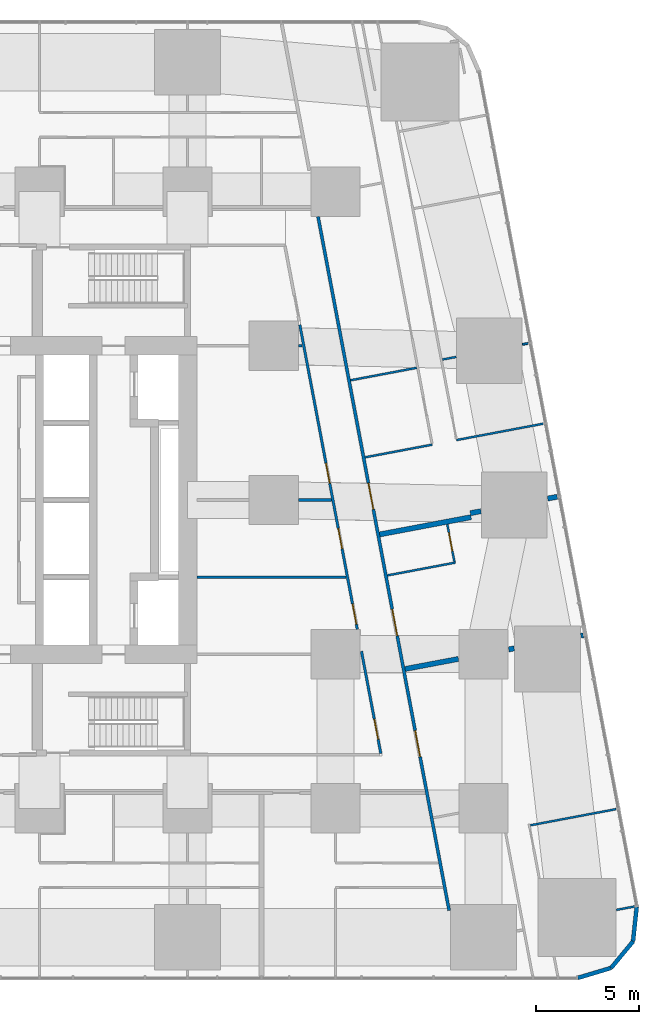
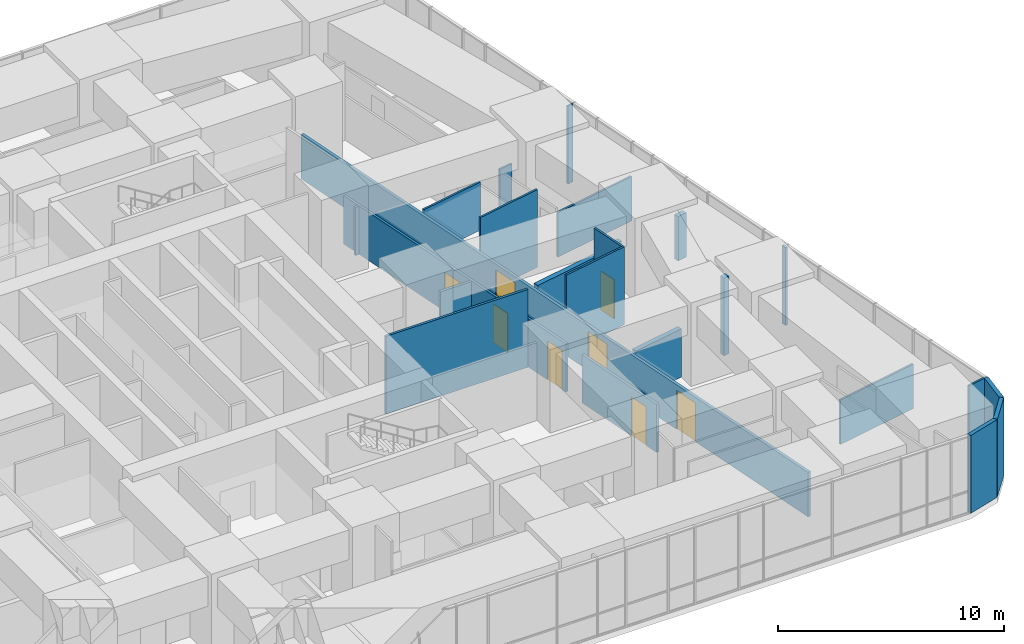
# One storey, part 17 of 22: 24 walls, 8 doors, 8 openings.
"""IFC4 building model written with IfcOpenShell, lengths in metres."""

from ifc_helpers import new_model, si_unit, direction, frame, frame_2d, origin, place, context, subcontext, project, spatial, rectangle, extrude, material, layer, layer_set, type_object, element, fill, save


model = new_model("IFC4")

# Units and contexts
model_context = context("Model", 3, precision=1e-05, world=origin(), true_north=direction((0.0, 1.0)))
body_context = subcontext(model_context, "Body", "Model", "MODEL_VIEW")
ifc_project = project(units=[si_unit("LENGTHUNIT", "METRE"), si_unit("AREAUNIT", "SQUARE_METRE"), si_unit("VOLUMEUNIT", "CUBIC_METRE"), si_unit("PLANEANGLEUNIT", "RADIAN"), si_unit("MASSUNIT", "GRAM", prefix="KILO")], contexts=[model_context])

# Site, building, storey
site_placement = place(None, origin())
site = spatial("IfcSite", under=ifc_project, at=site_placement, CompositionType="ELEMENT")
building_placement = place(site_placement, origin())
building = spatial("IfcBuilding", under=site, at=building_placement, Name="Sheger Commons Tower", CompositionType="ELEMENT")
storey_placement = place(building_placement, frame((0.0, 0.0, 10.10009765625)))
storey = spatial("IfcBuildingStorey", under=building, at=storey_placement, Name="L02", CompositionType="ELEMENT", Elevation=10.10009765625)

# Wall, openings, doors
ifc_material_1 = material(Name="Hollow concrete block masonry, skimmed both sides", Category="masonry")
ifc_layer_1 = layer(ifc_material_1, 0.14990234375)
ifc_layer_set_1 = layer_set([ifc_layer_1], Name="CORRIDOR WALL 150")
wall_type_1 = type_object("IfcWallType", Name="CORRIDOR WALL 150", PredefinedType="SOLIDWALL", material=ifc_layer_set_1)
wall_1_placement = place(storey_placement, frame((35.15087890625, 36.284912109375, 0.0), z_axis=(0.0, 0.0, 1.0), x_axis=(0.18558085056, -0.982628998099, 0.0)))
wall_1 = element("IfcWall", 1, at=wall_1_placement, inside=storey, type_object=wall_type_1, Name="Corridor wall L02", PredefinedType="SOLIDWALL", context=body_context, shape_type="SweptSolid", body=[
    extrude(rectangle(XDim=34.3515625, YDim=0.14990234375, at=frame_2d((17.17578125, 0.0))), origin(), (0.0, 0.0, 1.0), 2.39990234375),
])
opening_1_placement = place(wall_1_placement, frame((13.18896484375, 0.0, 0.0)))
opening_1 = element("IfcOpeningElement", 2, at=opening_1_placement, cuts=wall_1, Name="Opening D9", PredefinedType="OPENING", context=body_context, shape_type="SweptSolid", body=[
    extrude(rectangle(XDim=1.300048828125, YDim=2.10009765625, at=frame_2d((0.64990234375, 1.050048828125))), frame((0.0, 0.0849609375, 0.0), z_axis=(0.0, -1.0, 0.0), x_axis=(1.0, 0.0, 0.0)), (0.0, 0.0, 1.0), 0.169921875),
])
opening_2_placement = place(wall_1_placement, frame((19.443115234375, 0.0, 0.0)))
opening_2 = element("IfcOpeningElement", 3, at=opening_2_placement, cuts=wall_1, Name="Opening D9", PredefinedType="OPENING", context=body_context, shape_type="SweptSolid", body=[
    extrude(rectangle(XDim=1.300048828125, YDim=2.10009765625, at=frame_2d((0.64990234375, 1.050048828125))), frame((0.0, 0.0849609375, 0.0), z_axis=(0.0, -1.0, 0.0), x_axis=(1.0, 0.0, 0.0)), (0.0, 0.0, 1.0), 0.169921875),
])
opening_3_placement = place(wall_1_placement, frame((25.444091796875, 0.0, 0.0)))
opening_3 = element("IfcOpeningElement", 4, at=opening_3_placement, cuts=wall_1, Name="Opening D9", PredefinedType="OPENING", context=body_context, shape_type="SweptSolid", body=[
    extrude(rectangle(XDim=1.300048828125, YDim=2.10009765625, at=frame_2d((0.64990234375, 1.050048828125))), frame((0.0, 0.0849609375, 0.0), z_axis=(0.0, -1.0, 0.0), x_axis=(1.0, 0.0, 0.0)), (0.0, 0.0, 1.0), 0.169921875),
])
ifc_material_2 = material(Name="Steel door set, fire rated", Category="steel")
door_type_1 = type_object("IfcDoorType", Name="CLINIC SUITE DOOR 1300x2100", OperationType="DOUBLE_DOOR_SINGLE_SWING", PredefinedType="DOOR", material=ifc_material_2)
door_1_placement = place(opening_1_placement, origin())
door_1 = element("IfcDoor", 5, at=door_1_placement, inside=storey, type_object=door_type_1, Name="Suite door", OperationType="DOUBLE_DOOR_SINGLE_SWING", OverallHeight=2.10009765625, OverallWidth=1.300048828125, PredefinedType="DOOR", context=body_context, shape_type="SweptSolid", body=[
    extrude(rectangle(XDim=1.300048828125, YDim=2.10009765625, at=frame_2d((0.64990234375, 1.050048828125))), frame((0.0, 0.02490234375, 0.0), z_axis=(0.0, -1.0, 0.0), x_axis=(1.0, 0.0, 0.0)), (0.0, 0.0, 1.0), 0.050048828125),
])
fill(opening_1, door_1)
door_2_placement = place(opening_2_placement, origin())
door_2 = element("IfcDoor", 6, at=door_2_placement, inside=storey, type_object=door_type_1, Name="Suite door", OperationType="DOUBLE_DOOR_SINGLE_SWING", OverallHeight=2.10009765625, OverallWidth=1.300048828125, PredefinedType="DOOR", context=body_context, shape_type="SweptSolid", body=[
    extrude(rectangle(XDim=1.300048828125, YDim=2.10009765625, at=frame_2d((0.64990234375, 1.050048828125))), frame((0.0, 0.02490234375, 0.0), z_axis=(0.0, -1.0, 0.0), x_axis=(1.0, 0.0, 0.0)), (0.0, 0.0, 1.0), 0.050048828125),
])
fill(opening_2, door_2)
door_3_placement = place(opening_3_placement, origin())
door_3 = element("IfcDoor", 7, at=door_3_placement, inside=storey, type_object=door_type_1, Name="Suite door", OperationType="DOUBLE_DOOR_SINGLE_SWING", OverallHeight=2.10009765625, OverallWidth=1.300048828125, PredefinedType="DOOR", context=body_context, shape_type="SweptSolid", body=[
    extrude(rectangle(XDim=1.300048828125, YDim=2.10009765625, at=frame_2d((0.64990234375, 1.050048828125))), frame((0.0, 0.02490234375, 0.0), z_axis=(0.0, -1.0, 0.0), x_axis=(1.0, 0.0, 0.0)), (0.0, 0.0, 1.0), 0.050048828125),
])
fill(opening_3, door_3)

# Walls
ifc_material_3 = material(Name="Dense concrete block masonry, plastered both sides (separating wall between flats)", Category="masonry")
ifc_layer_2 = layer(ifc_material_3, 0.25)
ifc_layer_set_2 = layer_set([ifc_layer_2], Name="DEMISING WALL 250")
wall_type_2 = type_object("IfcWallType", Name="DEMISING WALL 250", PredefinedType="SOLIDWALL", material=ifc_layer_set_2)
wall_2_placement = place(storey_placement, frame((46.781982421875, 22.656982421875, 0.0), z_axis=(0.0, 0.0, 1.0), x_axis=(-0.982683117999, -0.185294062504, 0.0)))
element("IfcWall", 8, at=wall_2_placement, inside=storey, type_object=wall_type_2, Name="Demising wall L02", PredefinedType="SOLIDWALL", context=body_context, shape_type="SweptSolid", body=[
    extrude(rectangle(XDim=0.468994140625, YDim=0.25, at=frame_2d((0.234375, 0.0))), origin(), (0.0, 0.0, 1.0), 2.39990234375),
])
wall_3_placement = place(storey_placement, frame((43.072998046875, 21.9560546875, 0.0), z_axis=(0.0, 0.0, 1.0), x_axis=(-0.982395465615, -0.18681313963, 0.0)))
element("IfcWall", 9, at=wall_3_placement, inside=storey, type_object=wall_type_2, Name="Demising wall L02", PredefinedType="SOLIDWALL", context=body_context, shape_type="SweptSolid", body=[
    extrude(rectangle(XDim=0.525390625, YDim=0.25, at=frame_2d((0.2626953125, 0.0))), origin(), (0.0, 0.0, 1.0), 2.599853515625),
])
wall_4_placement = place(storey_placement, frame((42.593017578125, 21.6650390625, 0.0), z_axis=(0.0, 0.0, 1.0), x_axis=(-0.982612837616, -0.185666398014, 0.0)))
element("IfcWall", 10, at=wall_4_placement, inside=storey, type_object=wall_type_2, Name="Demising wall L02", PredefinedType="SOLIDWALL", context=body_context, shape_type="SweptSolid", body=[
    extrude(rectangle(XDim=4.524658203125, YDim=0.25, at=frame_2d((2.26220703125, 0.0))), origin(), (0.0, 0.0, 1.0), 2.599853515625),
])
wall_5_placement = place(storey_placement, frame((48.054931640625, 15.9169921875, 0.0), z_axis=(0.0, 0.0, 1.0), x_axis=(-0.98280243359, -0.184660164975, 0.0)))
element("IfcWall", 11, at=wall_5_placement, inside=storey, type_object=wall_type_2, Name="Demising wall L02", PredefinedType="SOLIDWALL", context=body_context, shape_type="SweptSolid", body=[
    extrude(rectangle(XDim=0.118896484375, YDim=0.25, at=frame_2d((0.0595703125, 0.0))), origin(), (0.0, 0.0, 1.0), 4.199951171875),
])
wall_6_placement = place(storey_placement, frame((44.68994140625, 15.281005859375, 0.0), z_axis=(0.0, 0.0, 1.0), x_axis=(-0.982739122219, -0.184996804458, 0.0)))
element("IfcWall", 12, at=wall_6_placement, inside=storey, type_object=wall_type_2, Name="Demising wall L02", PredefinedType="SOLIDWALL", context=body_context, shape_type="SweptSolid", body=[
    extrude(rectangle(XDim=0.2705078125, YDim=0.25, at=frame_2d((0.13525390625, 0.0))), origin(), (0.0, 0.0, 1.0), 4.199951171875),
])
wall_7_placement = place(storey_placement, frame((41.97607421875, 14.76904296875, 0.0), z_axis=(0.0, 0.0, 1.0), x_axis=(-0.982610412957, -0.185679229715, 0.0)))
element("IfcWall", 13, at=wall_7_placement, inside=storey, type_object=wall_type_2, Name="Demising wall L02", PredefinedType="SOLIDWALL", context=body_context, shape_type="SweptSolid", body=[
    extrude(rectangle(XDim=2.638916015625, YDim=0.25, at=frame_2d((1.3193359375, 0.0))), origin(), (0.0, 0.0, 1.0), 2.599853515625),
])
ifc_material_4 = material(Name="Rendered concrete block masonry, dark grey", Category="masonry")
ifc_layer_3 = layer(ifc_material_4, 0.199951171875)
ifc_layer_set_3 = layer_set([ifc_layer_3], Name="FACADE WALL 200")
wall_type_3 = type_object("IfcWallType", Name="FACADE WALL 200", PredefinedType="SOLIDWALL", material=ifc_layer_set_3)
wall_8_placement = place(storey_placement, frame((47.791015625, -0.75, 0.0), z_axis=(0.0, 0.0, 1.0), x_axis=(0.957455232626, 0.288581838509, 0.0)))
element("IfcWall", 14, at=wall_8_placement, inside=storey, type_object=wall_type_3, Name="Facade wall L02", PredefinedType="SOLIDWALL", context=body_context, shape_type="SweptSolid", body=[
    extrude(rectangle(XDim=1.687744140625, YDim=0.199951171875, at=frame_2d((0.84375, 0.0))), origin(), (0.0, 0.0, 1.0), 4.199951171875),
])
wall_9_placement = place(storey_placement, frame((49.406982421875, -0.262939453125, 0.0), z_axis=(0.0, 0.0, 1.0), x_axis=(0.638042593423, 0.770001070764, 0.0)))
element("IfcWall", 15, at=wall_9_placement, inside=storey, type_object=wall_type_3, Name="Facade wall L02", PredefinedType="SOLIDWALL", context=body_context, shape_type="SweptSolid", body=[
    extrude(rectangle(XDim=1.672607421875, YDim=0.199951171875, at=frame_2d((0.83642578125, 0.0))), origin(), (0.0, 0.0, 1.0), 4.199951171875),
])
wall_10_placement = place(storey_placement, frame((50.47412109375, 1.02490234375, 0.0), z_axis=(0.0, 0.0, 1.0), x_axis=(0.106047815515, 0.994361031429, 0.0)))
element("IfcWall", 16, at=wall_10_placement, inside=storey, type_object=wall_type_3, Name="Facade wall L02", PredefinedType="SOLIDWALL", context=body_context, shape_type="SweptSolid", body=[
    extrude(rectangle(XDim=1.6875, YDim=0.199951171875, at=frame_2d((0.84375, 0.0))), origin(), (0.0, 0.0, 1.0), 4.199951171875),
])
ifc_material_5 = material(Name="Gypsum board on steel studs", Category="steel")
ifc_layer_4 = layer(ifc_material_5, 0.10009765625)
ifc_layer_set_4 = layer_set([ifc_layer_4], Name="PARTITION 100")
wall_type_4 = type_object("IfcWallType", Name="PARTITION 100", PredefinedType="PARTITIONING", material=ifc_layer_set_4)
wall_11_placement = place(storey_placement, frame((45.3720703125, 30.12109375, 0.0), z_axis=(0.0, 0.0, 1.0), x_axis=(-0.982804690287, -0.184648153933, 0.0)))
element("IfcWall", 17, at=wall_11_placement, inside=storey, type_object=wall_type_4, Name="Partition L02", PredefinedType="PARTITIONING", context=body_context, shape_type="SweptSolid", body=[
    extrude(rectangle(XDim=0.286865234375, YDim=0.10009765625, at=frame_2d((0.1435546875, 0.0))), origin(), (0.0, 0.0, 1.0), 4.199951171875),
])
wall_12_placement = place(storey_placement, frame((41.8701171875, 29.458984375, 0.0), z_axis=(0.0, 0.0, 1.0), x_axis=(-0.982722777639, -0.185083608972, 0.0)))
element("IfcWall", 18, at=wall_12_placement, inside=storey, type_object=wall_type_4, Name="Partition L02", PredefinedType="PARTITIONING", context=body_context, shape_type="SweptSolid", body=[
    extrude(rectangle(XDim=0.68603515625, YDim=0.10009765625, at=frame_2d((0.343017578125, 0.0))), origin(), (0.0, 0.0, 1.0), 2.599853515625),
])
wall_13_placement = place(storey_placement, frame((46.110107421875, 26.212890625, 0.0), z_axis=(0.0, 0.0, 1.0), x_axis=(-0.982633535512, -0.185556823879, 0.0)))
element("IfcWall", 19, at=wall_13_placement, inside=storey, type_object=wall_type_4, Name="Partition L02", PredefinedType="PARTITIONING", context=body_context, shape_type="SweptSolid", body=[
    extrude(rectangle(XDim=4.2998046875, YDim=0.10009765625, at=frame_2d((2.14990234375, 0.0))), origin(), (0.0, 0.0, 1.0), 2.39990234375),
])
wall_14_placement = place(storey_placement, frame((39.947998046875, 28.931884765625, 0.0), z_axis=(0.0, 0.0, 1.0), x_axis=(-0.982610347627, -0.185679575441, 0.0)))
element("IfcWall", 20, at=wall_14_placement, inside=storey, type_object=wall_type_4, Name="Partition L02", PredefinedType="PARTITIONING", context=body_context, shape_type="SweptSolid", body=[
    extrude(rectangle(XDim=3.27392578125, YDim=0.10009765625, at=frame_2d((1.636962890625, 0.0))), origin(), (0.0, 0.0, 1.0), 2.599853515625),
])
wall_15_placement = place(storey_placement, frame((40.7060546875, 25.19189453125, 0.0), z_axis=(0.0, 0.0, 1.0), x_axis=(-0.982633623707, -0.185556356831, 0.0)))
element("IfcWall", 21, at=wall_15_placement, inside=storey, type_object=wall_type_4, Name="Partition L02", PredefinedType="PARTITIONING", context=body_context, shape_type="SweptSolid", body=[
    extrude(rectangle(XDim=3.324951171875, YDim=0.10009765625, at=frame_2d((1.66259765625, 0.0))), origin(), (0.0, 0.0, 1.0), 4.199951171875),
])

# Wall, opening, door
wall_16_placement = place(storey_placement, frame((41.43701171875, 21.319091796875, 0.0), z_axis=(0.0, 0.0, 1.0), x_axis=(0.186029078128, -0.982544239254, 0.0)))
wall_16 = element("IfcWall", 22, at=wall_16_placement, inside=storey, type_object=wall_type_4, Name="Partition L02", PredefinedType="PARTITIONING", context=body_context, shape_type="SweptSolid", body=[
    extrude(rectangle(XDim=1.8544921875, YDim=0.10009765625, at=frame_2d((0.92724609375, 0.0))), origin(), (0.0, 0.0, 1.0), 4.199951171875),
])
opening_4_placement = place(wall_16_placement, frame((0.424072265625, 0.0, 0.0)))
opening_4 = element("IfcOpeningElement", 23, at=opening_4_placement, cuts=wall_16, Name="Opening D2", PredefinedType="OPENING", context=body_context, shape_type="SweptSolid", body=[
    extrude(rectangle(XDim=0.89990234375, YDim=2.10009765625, at=frame_2d((0.449951171875, 1.050048828125))), frame((0.0, 0.06005859375, 0.0), z_axis=(0.0, -1.0, 0.0), x_axis=(1.0, 0.0, 0.0)), (0.0, 0.0, 1.0), 0.1201171875),
])
ifc_material_6 = material(Name="Timber door set", Category="wood")
door_type_2 = type_object("IfcDoorType", Name="INTERNAL DOOR 900x2100", OperationType="NOTDEFINED", PredefinedType="DOOR", material=ifc_material_6)
door_4_placement = place(opening_4_placement, origin())
door_4 = element("IfcDoor", 24, at=door_4_placement, inside=storey, type_object=door_type_2, Name="Treatment room door", OperationType="SINGLE_SWING_RIGHT", OverallHeight=2.10009765625, OverallWidth=0.89990234375, PredefinedType="DOOR", context=body_context, shape_type="SweptSolid", body=[
    extrude(rectangle(XDim=0.89990234375, YDim=2.10009765625, at=frame_2d((0.449951171875, 1.050048828125))), frame((0.0, 0.02490234375, 0.0), z_axis=(0.0, -1.0, 0.0), x_axis=(1.0, 0.0, 0.0)), (0.0, 0.0, 1.0), 0.050048828125),
])
fill(opening_4, door_4)

# Walls
wall_17_placement = place(storey_placement, frame((41.840087890625, 19.45703125, 0.0), z_axis=(0.0, 0.0, 1.0), x_axis=(-0.98264623159, -0.185489577987, 0.0)))
element("IfcWall", 25, at=wall_17_placement, inside=storey, type_object=wall_type_4, Name="Partition L02", PredefinedType="PARTITIONING", context=body_context, shape_type="SweptSolid", body=[
    extrude(rectangle(XDim=3.374755859375, YDim=0.10009765625, at=frame_2d((1.6875, 0.0))), origin(), (0.0, 0.0, 1.0), 4.199951171875),
])
wall_18_placement = place(storey_placement, frame((49.652099609375, 7.462890625, 0.0), z_axis=(0.0, 0.0, 1.0), x_axis=(-0.982631433279, -0.185567956101, 0.0)))
element("IfcWall", 26, at=wall_18_placement, inside=storey, type_object=wall_type_4, Name="Partition L02", PredefinedType="PARTITIONING", context=body_context, shape_type="SweptSolid", body=[
    extrude(rectangle(XDim=4.250732421875, YDim=0.10009765625, at=frame_2d((2.12548828125, 0.0))), origin(), (0.0, 0.0, 1.0), 2.39990234375),
])
wall_19_placement = place(storey_placement, frame((50.547119140625, 2.72607421875, 0.0), z_axis=(0.0, 0.0, 1.0), x_axis=(-0.982620821037, -0.18562414192, 0.0)))
element("IfcWall", 27, at=wall_19_placement, inside=storey, type_object=wall_type_4, Name="Partition L02", PredefinedType="PARTITIONING", context=body_context, shape_type="SweptSolid", body=[
    extrude(rectangle(XDim=0.90478515625, YDim=0.10009765625, at=frame_2d((0.452392578125, 0.0))), origin(), (0.0, 0.0, 1.0), 4.199951171875),
])

# Wall, opening, door
ifc_material_7 = material(Name="Gypsum board on steel studs, two layers each side, fire rated", Category="steel")
ifc_layer_5 = layer(ifc_material_7, 0.125)
ifc_layer_set_5 = layer_set([ifc_layer_5], Name="SERVICE WALL 125")
wall_type_5 = type_object("IfcWallType", Name="SERVICE WALL 125", PredefinedType="PARTITIONING", material=ifc_layer_set_5)
wall_20_placement = place(storey_placement, frame((38.201904296875, 10.1630859375, 0.0), z_axis=(0.0, 0.0, 1.0), x_axis=(-0.185539561605, 0.982636795097, 0.0)))
wall_20 = element("IfcWall", 28, at=wall_20_placement, inside=storey, type_object=wall_type_5, Name="Service room wall L02", PredefinedType="PARTITIONING", context=body_context, shape_type="SweptSolid", body=[
    extrude(rectangle(XDim=5.06591796875, YDim=0.125, at=frame_2d((2.532958984375, 0.0))), origin(), (0.0, 0.0, 1.0), 2.599853515625),
])
opening_5_placement = place(wall_20_placement, frame((0.7080078125, 0.0, 0.0)))
opening_5 = element("IfcOpeningElement", 29, at=opening_5_placement, cuts=wall_20, Name="Opening D4", PredefinedType="OPENING", context=body_context, shape_type="SweptSolid", body=[
    extrude(rectangle(XDim=1.0, YDim=2.10009765625, at=frame_2d((0.5, 1.050048828125))), frame((0.0, 0.072509765625, 0.0), z_axis=(0.0, -1.0, 0.0), x_axis=(1.0, 0.0, 0.0)), (0.0, 0.0, 1.0), 0.14501953125),
])
ifc_material_8 = material(Name="Steel door set, fire rated", Category="steel")
door_type_3 = type_object("IfcDoorType", Name="SERVICE DOOR 1000x2100", OperationType="NOTDEFINED", PredefinedType="DOOR", material=ifc_material_8)
door_5_placement = place(opening_5_placement, origin())
door_5 = element("IfcDoor", 30, at=door_5_placement, inside=storey, type_object=door_type_3, Name="Staff room door", OperationType="SINGLE_SWING_LEFT", OverallHeight=2.10009765625, OverallWidth=1.0, PredefinedType="DOOR", context=body_context, shape_type="SweptSolid", body=[
    extrude(rectangle(XDim=1.0, YDim=2.10009765625, at=frame_2d((0.5, 1.050048828125))), frame((0.0, 0.02490234375, 0.0), z_axis=(0.0, -1.0, 0.0), x_axis=(1.0, 0.0, 0.0)), (0.0, 0.0, 1.0), 0.050048828125),
])
fill(opening_5, door_5)

# Wall, openings, doors
wall_21_placement = place(storey_placement, frame((37.05908203125, 16.212890625, 0.0), z_axis=(0.0, 0.0, 1.0), x_axis=(-0.185585225745, 0.982628171785, 0.0)))
wall_21 = element("IfcWall", 31, at=wall_21_placement, inside=storey, type_object=wall_type_5, Name="Service room wall L02", PredefinedType="PARTITIONING", context=body_context, shape_type="SweptSolid", body=[
    extrude(rectangle(XDim=15.07177734375, YDim=0.125, at=frame_2d((7.535888671875, 0.0))), origin(), (0.0, 0.0, 1.0), 2.599853515625),
])
opening_6_placement = place(wall_21_placement, frame((7.220947265625, 0.0, 0.0)))
opening_6 = element("IfcOpeningElement", 32, at=opening_6_placement, cuts=wall_21, Name="Opening D4", PredefinedType="OPENING", context=body_context, shape_type="SweptSolid", body=[
    extrude(rectangle(XDim=1.0, YDim=2.10009765625, at=frame_2d((0.5, 1.050048828125))), frame((0.0, 0.072509765625, 0.0), z_axis=(0.0, -1.0, 0.0), x_axis=(1.0, 0.0, 0.0)), (0.0, 0.0, 1.0), 0.14501953125),
])
opening_7_placement = place(wall_21_placement, frame((0.25, 0.0, 0.0)))
opening_7 = element("IfcOpeningElement", 33, at=opening_7_placement, cuts=wall_21, Name="Opening D4", PredefinedType="OPENING", context=body_context, shape_type="SweptSolid", body=[
    extrude(rectangle(XDim=1.0, YDim=2.10009765625, at=frame_2d((0.5, 1.050048828125))), frame((0.0, 0.072509765625, 0.0), z_axis=(0.0, -1.0, 0.0), x_axis=(1.0, 0.0, 0.0)), (0.0, 0.0, 1.0), 0.14501953125),
])
opening_8_placement = place(wall_21_placement, frame((3.989990234375, 0.0, 0.0)))
opening_8 = element("IfcOpeningElement", 34, at=opening_8_placement, cuts=wall_21, Name="Opening D4", PredefinedType="OPENING", context=body_context, shape_type="SweptSolid", body=[
    extrude(rectangle(XDim=1.0, YDim=2.10009765625, at=frame_2d((0.5, 1.050048828125))), frame((0.0, 0.072509765625, 0.0), z_axis=(0.0, -1.0, 0.0), x_axis=(1.0, 0.0, 0.0)), (0.0, 0.0, 1.0), 0.14501953125),
])
door_6_placement = place(opening_6_placement, origin())
door_6 = element("IfcDoor", 35, at=door_6_placement, inside=storey, type_object=door_type_3, Name="Pharmacy store door", OperationType="SINGLE_SWING_LEFT", OverallHeight=2.10009765625, OverallWidth=1.0, PredefinedType="DOOR", context=body_context, shape_type="SweptSolid", body=[
    extrude(rectangle(XDim=1.0, YDim=2.10009765625, at=frame_2d((0.5, 1.050048828125))), frame((0.0, 0.02490234375, 0.0), z_axis=(0.0, -1.0, 0.0), x_axis=(1.0, 0.0, 0.0)), (0.0, 0.0, 1.0), 0.050048828125),
])
fill(opening_6, door_6)
door_7_placement = place(opening_7_placement, origin())
door_7 = element("IfcDoor", 36, at=door_7_placement, inside=storey, type_object=door_type_3, Name="Medical records room door", OperationType="SINGLE_SWING_LEFT", OverallHeight=2.10009765625, OverallWidth=1.0, PredefinedType="DOOR", context=body_context, shape_type="SweptSolid", body=[
    extrude(rectangle(XDim=1.0, YDim=2.10009765625, at=frame_2d((0.5, 1.050048828125))), frame((0.0, 0.02490234375, 0.0), z_axis=(0.0, -1.0, 0.0), x_axis=(1.0, 0.0, 0.0)), (0.0, 0.0, 1.0), 0.050048828125),
])
fill(opening_7, door_7)
door_8_placement = place(opening_8_placement, origin())
door_8 = element("IfcDoor", 37, at=door_8_placement, inside=storey, type_object=door_type_3, Name="Sterile supplies store door", OperationType="SINGLE_SWING_LEFT", OverallHeight=2.10009765625, OverallWidth=1.0, PredefinedType="DOOR", context=body_context, shape_type="SweptSolid", body=[
    extrude(rectangle(XDim=1.0, YDim=2.10009765625, at=frame_2d((0.5, 1.050048828125))), frame((0.0, 0.02490234375, 0.0), z_axis=(0.0, -1.0, 0.0), x_axis=(1.0, 0.0, 0.0)), (0.0, 0.0, 1.0), 0.050048828125),
])
fill(opening_8, door_8)

# Walls
wall_22_placement = place(storey_placement, frame((34.200927734375, 22.5, 0.0), z_axis=(0.0, 0.0, 1.0), x_axis=(1.0, 0.0, 0.0)))
element("IfcWall", 38, at=wall_22_placement, inside=storey, type_object=wall_type_5, Name="Service room wall L02", PredefinedType="PARTITIONING", context=body_context, shape_type="SweptSolid", body=[
    extrude(rectangle(XDim=1.594970703125, YDim=0.125, at=frame_2d((0.79736328125, 0.0))), origin(), (0.0, 0.0, 1.0), 2.599853515625),
])
wall_23_placement = place(storey_placement, frame((34.200927734375, 30.0, 0.0), z_axis=(0.0, 0.0, 1.0), x_axis=(1.0, 0.0, 0.0)))
element("IfcWall", 39, at=wall_23_placement, inside=storey, type_object=wall_type_5, Name="Service room wall L02", PredefinedType="PARTITIONING", context=body_context, shape_type="SweptSolid", body=[
    extrude(rectangle(XDim=0.177978515625, YDim=0.125, at=frame_2d((0.0888671875, 0.0))), origin(), (0.0, 0.0, 1.0), 2.599853515625),
])
wall_24_placement = place(storey_placement, frame((29.25, 18.75, 0.0), z_axis=(0.0, 0.0, 1.0), x_axis=(1.0, 0.0, 0.0)))
element("IfcWall", 40, at=wall_24_placement, inside=storey, type_object=wall_type_5, Name="Service room wall L02", PredefinedType="PARTITIONING", context=body_context, shape_type="SweptSolid", body=[
    extrude(rectangle(XDim=7.2548828125, YDim=0.125, at=frame_2d((3.62744140625, 0.0))), origin(), (0.0, 0.0, 1.0), 4.199951171875),
])

save(model, "model.ifc")
